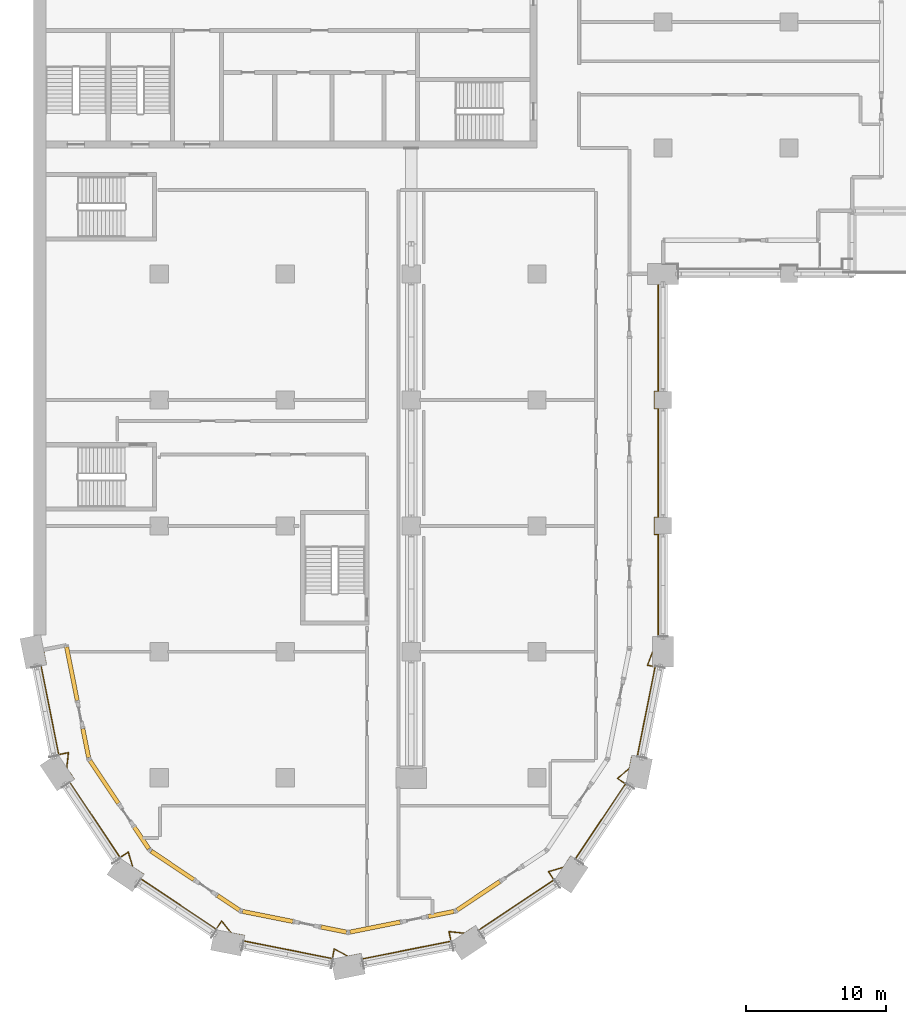
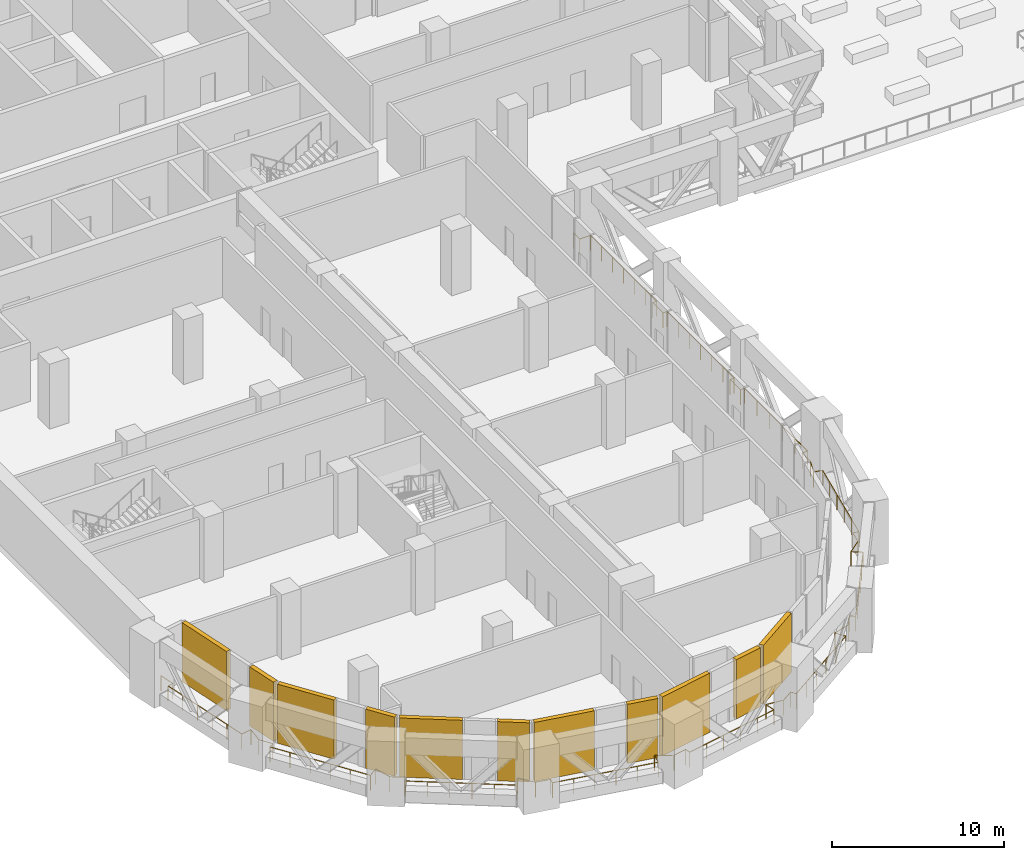
# One storey, part 18 of 22: 11 shading devices, 1 railing.
"""IFC4 building model written with IfcOpenShell, lengths in metres."""

from ifc_helpers import new_model, si_unit, direction, frame, origin, origin_2d, place, context, subcontext, project, spatial, rectangle, circle, extrude, material, layer, layer_set, type_object, element, save


model = new_model("IFC4")

# Units and contexts
model_context = context("Model", 3, precision=1e-05, world=origin(), true_north=direction((0.0, 1.0)))
body_context = subcontext(model_context, "Body", "Model", "MODEL_VIEW")
ifc_project = project(units=[si_unit("LENGTHUNIT", "METRE"), si_unit("AREAUNIT", "SQUARE_METRE"), si_unit("VOLUMEUNIT", "CUBIC_METRE"), si_unit("PLANEANGLEUNIT", "RADIAN"), si_unit("MASSUNIT", "GRAM", prefix="KILO")], contexts=[model_context])

# Site, building, storey
site_placement = place(None, origin())
site = spatial("IfcSite", under=ifc_project, at=site_placement, CompositionType="ELEMENT")
building_placement = place(site_placement, origin())
building = spatial("IfcBuilding", under=site, at=building_placement, Name="Hunhe Ridgeline Campus", CompositionType="ELEMENT")
storey_placement = place(building_placement, frame((0.0, 0.0, 129.199951171875)))
storey = spatial("IfcBuildingStorey", under=building, at=storey_placement, Name="L32", CompositionType="ELEMENT", Elevation=129.199951171875)

# Railing
ifc_material_1 = material(Name="Steel Q355", Category="steel")
railing_type = type_object("IfcRailingType", Name="Loggia guard 1100 Steel Q355", PredefinedType="GUARDRAIL", material=ifc_material_1)
railing_placement = place(storey_placement, frame((0.7060546875, 27.140380859375, 0.0)))
element("IfcRailing", 1, at=railing_placement, inside=storey, type_object=railing_type, Name="Loggia guard 1", PredefinedType="GUARDRAIL", context=body_context, shape_type="SweptSolid", body=[
    extrude(circle(Radius=0.02392578125, at=origin_2d()), frame((0.0, 0.0, 1.076171875), z_axis=(0.195087556151, -0.980785830564, 0.0), x_axis=(0.980785830564, 0.195087556151, 0.0)), (0.0, 0.0, 1.0), 1.050048828125),
    extrude(circle(Radius=0.02392578125, at=origin_2d()), frame((0.204833984375, -1.02978515625, 1.076171875), z_axis=(-0.980858940504, -0.194719641621, 0.0), x_axis=(0.194719641621, -0.980858940504, 0.0)), (0.0, 0.0, 1.0), 0.369873046875),
    extrude(circle(Radius=0.02392578125, at=origin_2d()), frame((-0.157958984375, -1.101806640625, 1.076171875), z_axis=(0.19507695386, -0.9807879394, 0.0), x_axis=(0.9807879394, 0.19507695386, 0.0)), (0.0, 0.0, 1.0), 6.506591796875),
    extrude(circle(Radius=0.02392578125, at=origin_2d()), frame((1.111328125, -7.4833984375, 1.076171875), z_axis=(0.980780459814, 0.195114555191, 0.0), x_axis=(-0.195114555191, 0.980780459814, 0.0)), (0.0, 0.0, 1.0), 0.703125),
    extrude(circle(Radius=0.02392578125, at=origin_2d()), frame((1.801025390625, -7.34619140625, 1.076171875), z_axis=(-0.102884402445, -0.994693319437, 0.0), x_axis=(0.994693319437, -0.102884402445, 0.0)), (0.0, 0.0, 1.0), 1.129638671875),
    extrude(circle(Radius=0.02392578125, at=origin_2d()), frame((1.684814453125, -8.4697265625, 1.076171875), z_axis=(0.555569523548, -0.831470086356, 0.0), x_axis=(0.831470086356, 0.555569523548, 0.0)), (0.0, 0.0, 1.0), 0.906982421875),
    extrude(circle(Radius=0.02392578125, at=origin_2d()), frame((2.188720703125, -9.223876953125, 1.076171875), z_axis=(-0.831440678638, -0.555613532868, 0.0), x_axis=(0.555613532868, -0.831440678638, 0.0)), (0.0, 0.0, 1.0), 0.369873046875),
    extrude(circle(Radius=0.02392578125, at=origin_2d()), frame((1.881103515625, -9.429443359375, 1.076171875), z_axis=(0.55556581165, -0.83147256655, 0.0), x_axis=(0.83147256655, 0.55556581165, 0.0)), (0.0, 0.0, 1.0), 6.50634765625),
    extrude(circle(Radius=0.02392578125, at=origin_2d()), frame((5.495849609375, -14.83935546875, 1.076171875), z_axis=(0.831355400166, 0.555741125539, 0.0), x_axis=(-0.555741125539, 0.831355400166, 0.0)), (0.0, 0.0, 1.0), 0.703369140625),
    extrude(circle(Radius=0.02392578125, at=origin_2d()), frame((6.08056640625, -14.448486328125, 1.076171875), z_axis=(0.285463917281, -0.958389457335, 0.0), x_axis=(0.958389457335, 0.285463917281, 0.0)), (0.0, 0.0, 1.0), 1.1298828125),
    extrude(circle(Radius=0.02392578125, at=origin_2d()), frame((6.403076171875, -15.53125, 1.076171875), z_axis=(0.831511358569, -0.555507750235, 0.0), x_axis=(0.555507750235, 0.831511358569, 0.0)), (0.0, 0.0, 1.0), 0.90673828125),
    extrude(circle(Radius=0.02392578125, at=origin_2d()), frame((7.156982421875, -16.034912109375, 1.076171875), z_axis=(-0.555613532868, -0.831440678638, 0.0), x_axis=(0.831440678638, -0.555613532868, 0.0)), (0.0, 0.0, 1.0), 0.369873046875),
    extrude(circle(Radius=0.02392578125, at=origin_2d()), frame((6.951416015625, -16.342529296875, 1.076171875), z_axis=(0.831455233209, -0.555591752251, 0.0), x_axis=(0.555591752251, 0.831455233209, 0.0)), (0.0, 0.0, 1.0), 6.506591796875),
    extrude(circle(Radius=0.02392578125, at=origin_2d()), frame((12.361328125, -19.95751953125, 1.076171875), z_axis=(0.555741125539, 0.831355400166, 0.0), x_axis=(-0.831355400166, 0.555741125539, 0.0)), (0.0, 0.0, 1.0), 0.703369140625),
    extrude(circle(Radius=0.02392578125, at=origin_2d()), frame((12.752197265625, -19.372802734375, 1.076171875), z_axis=(0.630633305327, -0.776080945657, 0.0), x_axis=(0.776080945657, 0.630633305327, 0.0)), (0.0, 0.0, 1.0), 1.129638671875),
    extrude(circle(Radius=0.02392578125, at=origin_2d()), frame((13.464599609375, -20.24951171875, 1.076171875), z_axis=(0.980807887006, -0.194976636516, 0.0), x_axis=(0.194976636516, 0.980807887006, 0.0)), (0.0, 0.0, 1.0), 0.906494140625),
    extrude(circle(Radius=0.02392578125, at=origin_2d()), frame((14.353759765625, -20.42626953125, 1.076171875), z_axis=(-0.194593653816, -0.980883943132, 0.0), x_axis=(0.980883943132, -0.194593653816, 0.0)), (0.0, 0.0, 1.0), 0.3701171875),
    extrude(circle(Radius=0.02392578125, at=origin_2d()), frame((14.28173828125, -20.789306640625, 1.076171875), z_axis=(0.98078651142, -0.195084133173, 0.0), x_axis=(0.195084133173, 0.98078651142, 0.0)), (0.0, 0.0, 1.0), 6.50634765625),
    extrude(circle(Radius=0.02392578125, at=origin_2d()), frame((20.6630859375, -22.05859375, 1.076171875), z_axis=(0.195114555191, 0.980780459814, 0.0), x_axis=(-0.980780459814, 0.195114555191, 0.0)), (0.0, 0.0, 1.0), 0.703125),
    extrude(circle(Radius=0.02392578125, at=origin_2d()), frame((20.80029296875, -21.368896484375, 1.076171875), z_axis=(0.879616090555, -0.475684278946, 0.0), x_axis=(0.475684278946, 0.879616090555, 0.0)), (0.0, 0.0, 1.0), 1.129638671875),
    extrude(circle(Radius=0.02392578125, at=origin_2d()), frame((21.7939453125, -21.90625, 1.076171875), z_axis=(0.98081812081, 0.194925149456, 0.0), x_axis=(-0.194925149456, 0.98081812081, 0.0)), (0.0, 0.0, 1.0), 0.90673828125),
    extrude(circle(Radius=0.02392578125, at=origin_2d()), frame((22.683349609375, -21.7294921875, 1.076171875), z_axis=(0.194719641621, -0.980858940504, 0.0), x_axis=(0.980858940504, 0.194719641621, 0.0)), (0.0, 0.0, 1.0), 0.369873046875),
    extrude(circle(Radius=0.02392578125, at=origin_2d()), frame((22.75537109375, -22.09228515625, 1.076171875), z_axis=(0.9807879394, 0.19507695386, 0.0), x_axis=(-0.19507695386, 0.9807879394, 0.0)), (0.0, 0.0, 1.0), 6.506591796875),
    extrude(circle(Radius=0.02392578125, at=origin_2d()), frame((29.136962890625, -20.822998046875, 1.076171875), z_axis=(-0.195114555191, 0.980780459814, 0.0), x_axis=(-0.980780459814, -0.195114555191, 0.0)), (0.0, 0.0, 1.0), 0.703125),
    extrude(circle(Radius=0.02392578125, at=origin_2d()), frame((28.999755859375, -20.13330078125, 1.076171875), z_axis=(0.994693319437, -0.102884402445, 0.0), x_axis=(0.102884402445, 0.994693319437, 0.0)), (0.0, 0.0, 1.0), 1.129638671875),
    extrude(circle(Radius=0.02392578125, at=origin_2d()), frame((30.123291015625, -20.24951171875, 1.076171875), z_axis=(0.831470086356, 0.555569523548, 0.0), x_axis=(-0.555569523548, 0.831470086356, 0.0)), (0.0, 0.0, 1.0), 0.906982421875),
    extrude(circle(Radius=0.02392578125, at=origin_2d()), frame((30.87744140625, -19.74560546875, 1.076171875), z_axis=(0.555613532868, -0.831440678638, 0.0), x_axis=(0.831440678638, 0.555613532868, 0.0)), (0.0, 0.0, 1.0), 0.369873046875),
    extrude(circle(Radius=0.02392578125, at=origin_2d()), frame((31.0830078125, -20.05322265625, 1.076171875), z_axis=(0.83147256655, 0.55556581165, 0.0), x_axis=(-0.55556581165, 0.83147256655, 0.0)), (0.0, 0.0, 1.0), 6.50634765625),
    extrude(circle(Radius=0.02392578125, at=origin_2d()), frame((36.492919921875, -16.4384765625, 1.076171875), z_axis=(-0.555741125539, 0.831355400166, 0.0), x_axis=(-0.831355400166, -0.555741125539, 0.0)), (0.0, 0.0, 1.0), 0.703369140625),
    extrude(circle(Radius=0.02392578125, at=origin_2d()), frame((36.10205078125, -15.853759765625, 1.076171875), z_axis=(0.958389457335, 0.285463917281, 0.0), x_axis=(-0.285463917281, 0.958389457335, 0.0)), (0.0, 0.0, 1.0), 1.1298828125),
    extrude(circle(Radius=0.02392578125, at=origin_2d()), frame((37.184814453125, -15.53125, 1.076171875), z_axis=(0.555507750235, 0.831511358569, 0.0), x_axis=(-0.831511358569, 0.555507750235, 0.0)), (0.0, 0.0, 1.0), 0.90673828125),
    extrude(circle(Radius=0.02392578125, at=origin_2d()), frame((37.6884765625, -14.77734375, 1.076171875), z_axis=(0.831440678638, -0.555613532868, 0.0), x_axis=(0.555613532868, 0.831440678638, 0.0)), (0.0, 0.0, 1.0), 0.369873046875),
    extrude(circle(Radius=0.02392578125, at=origin_2d()), frame((37.99609375, -14.98291015625, 1.076171875), z_axis=(0.555591752251, 0.831455233209, 0.0), x_axis=(-0.831455233209, 0.555591752251, 0.0)), (0.0, 0.0, 1.0), 6.506591796875),
    extrude(circle(Radius=0.02392578125, at=origin_2d()), frame((41.611083984375, -9.572998046875, 1.076171875), z_axis=(-0.831355400166, 0.555741125539, 0.0), x_axis=(-0.555741125539, -0.831355400166, 0.0)), (0.0, 0.0, 1.0), 0.703369140625),
    extrude(circle(Radius=0.02392578125, at=origin_2d()), frame((41.0263671875, -9.18212890625, 1.076171875), z_axis=(0.776080945657, 0.630633305327, 0.0), x_axis=(-0.630633305327, 0.776080945657, 0.0)), (0.0, 0.0, 1.0), 1.129638671875),
    extrude(circle(Radius=0.02392578125, at=origin_2d()), frame((41.903076171875, -8.4697265625, 1.076171875), z_axis=(0.194976636516, 0.980807887006, 0.0), x_axis=(-0.980807887006, 0.194976636516, 0.0)), (0.0, 0.0, 1.0), 0.906494140625),
    extrude(circle(Radius=0.02392578125, at=origin_2d()), frame((42.079833984375, -7.58056640625, 1.076171875), z_axis=(0.980883943132, -0.194593653816, 0.0), x_axis=(0.194593653816, 0.980883943132, 0.0)), (0.0, 0.0, 1.0), 0.3701171875),
    extrude(circle(Radius=0.02392578125, at=origin_2d()), frame((42.44287109375, -7.652587890625, 1.076171875), z_axis=(0.195087191819, 0.980785903033, 0.0), x_axis=(-0.980785903033, 0.195087191819, 0.0)), (0.0, 0.0, 1.0), 6.5712890625),
    extrude(circle(Radius=0.02392578125, at=origin_2d()), frame((43.724853515625, -1.20751953125, 1.076171875), z_axis=(-0.9807502228, 0.195266485801, 0.0), x_axis=(-0.195266485801, -0.9807502228, 0.0)), (0.0, 0.0, 1.0), 0.552734375),
    extrude(circle(Radius=0.02392578125, at=origin_2d()), frame((43.182861328125, -1.099609375, 1.076171875), z_axis=(0.354981524628, 0.934873316109, 0.0), x_axis=(-0.934873316109, 0.354981524628, 0.0)), (0.0, 0.0, 1.0), 1.101806640625),
    extrude(circle(Radius=0.02392578125, at=origin_2d()), frame((43.573974609375, -0.069580078125, 1.076171875), z_axis=(0.0, 1.0, 0.0), x_axis=(-1.0, 0.0, 0.0)), (0.0, 0.0, 1.0), 0.979248046875),
    extrude(circle(Radius=0.02392578125, at=origin_2d()), frame((43.573974609375, 0.90966796875, 1.076171875), z_axis=(1.0, 0.0, 0.0), x_axis=(0.0, 1.0, 0.0)), (0.0, 0.0, 1.0), 0.369873046875),
    extrude(circle(Radius=0.02392578125, at=origin_2d()), frame((43.94384765625, 0.90966796875, 1.076171875), z_axis=(0.0, 1.0, 0.0), x_axis=(-1.0, 0.0, 0.0)), (0.0, 0.0, 1.0), 7.349853515625),
    extrude(circle(Radius=0.02392578125, at=origin_2d()), frame((43.94384765625, 8.259521484375, 1.076171875), z_axis=(-1.0, 0.0, 0.0), x_axis=(0.0, -1.0, 0.0)), (0.0, 0.0, 1.0), 0.27001953125),
    extrude(circle(Radius=0.02392578125, at=origin_2d()), frame((43.673828125, 8.259521484375, 1.076171875), z_axis=(0.0, 1.0, 0.0), x_axis=(-1.0, 0.0, 0.0)), (0.0, 0.0, 1.0), 1.2001953125),
    extrude(circle(Radius=0.02392578125, at=origin_2d()), frame((43.673828125, 9.459716796875, 1.076171875), z_axis=(1.0, 0.0, 0.0), x_axis=(0.0, 1.0, 0.0)), (0.0, 0.0, 1.0), 0.27001953125),
    extrude(circle(Radius=0.02392578125, at=origin_2d()), frame((43.94384765625, 9.459716796875, 1.076171875), z_axis=(0.0, 1.0, 0.0), x_axis=(-1.0, 0.0, 0.0)), (0.0, 0.0, 1.0), 7.7998046875),
    extrude(circle(Radius=0.02392578125, at=origin_2d()), frame((43.94384765625, 17.259521484375, 1.076171875), z_axis=(-1.0, 0.0, 0.0), x_axis=(0.0, -1.0, 0.0)), (0.0, 0.0, 1.0), 0.27001953125),
    extrude(circle(Radius=0.02392578125, at=origin_2d()), frame((43.673828125, 17.259521484375, 1.076171875), z_axis=(0.0, 1.0, 0.0), x_axis=(-1.0, 0.0, 0.0)), (0.0, 0.0, 1.0), 1.2001953125),
    extrude(circle(Radius=0.02392578125, at=origin_2d()), frame((43.673828125, 18.459716796875, 1.076171875), z_axis=(1.0, 0.0, 0.0), x_axis=(0.0, 1.0, 0.0)), (0.0, 0.0, 1.0), 0.27001953125),
    extrude(circle(Radius=0.02392578125, at=origin_2d()), frame((43.94384765625, 18.459716796875, 1.076171875), z_axis=(0.0, 1.0, 0.0), x_axis=(-1.0, 0.0, 0.0)), (0.0, 0.0, 1.0), 7.699951171875),
    extrude(circle(Radius=0.02392578125, at=origin_2d()), frame((43.94384765625, 26.15966796875, 1.076171875), z_axis=(-1.0, 0.0, 0.0), x_axis=(0.0, -1.0, 0.0)), (0.0, 0.0, 1.0), 0.719970703125),
    extrude(circle(Radius=0.02392578125, at=origin_2d()), frame((43.223876953125, 26.15966796875, 1.076171875), z_axis=(0.0, 1.0, 0.0), x_axis=(-1.0, 0.0, 0.0)), (0.0, 0.0, 1.0), 0.699951171875),
    extrude(circle(Radius=0.02099609375, at=origin_2d()), origin(), (0.0, 0.0, 1.0), 1.052001953125),
    extrude(circle(Radius=0.02099609375, at=origin_2d()), frame((0.204833984375, -1.02978515625, 0.0)), (0.0, 0.0, 1.0), 1.052001953125),
    extrude(circle(Radius=0.02099609375, at=origin_2d()), frame((-0.157958984375, -1.101806640625, 0.0)), (0.0, 0.0, 1.0), 1.052001953125),
    extrude(circle(Radius=0.02099609375, at=origin_2d()), frame((0.095947265625, -2.378173828125, 0.0)), (0.0, 0.0, 1.0), 1.052001953125),
    extrude(circle(Radius=0.02099609375, at=origin_2d()), frame((0.349853515625, -3.654541015625, 0.0)), (0.0, 0.0, 1.0), 1.052001953125),
    extrude(circle(Radius=0.02099609375, at=origin_2d()), frame((0.603515625, -4.9306640625, 0.0)), (0.0, 0.0, 1.0), 1.052001953125),
    extrude(circle(Radius=0.02099609375, at=origin_2d()), frame((0.857421875, -6.20703125, 0.0)), (0.0, 0.0, 1.0), 1.052001953125),
    extrude(circle(Radius=0.02099609375, at=origin_2d()), frame((1.111328125, -7.4833984375, 0.0)), (0.0, 0.0, 1.0), 1.052001953125),
    extrude(circle(Radius=0.02099609375, at=origin_2d()), frame((1.801025390625, -7.34619140625, 0.0)), (0.0, 0.0, 1.0), 1.052001953125),
    extrude(circle(Radius=0.02099609375, at=origin_2d()), frame((1.684814453125, -8.4697265625, 0.0)), (0.0, 0.0, 1.0), 1.052001953125),
    extrude(circle(Radius=0.02099609375, at=origin_2d()), frame((2.188720703125, -9.223876953125, 0.0)), (0.0, 0.0, 1.0), 1.052001953125),
    extrude(circle(Radius=0.02099609375, at=origin_2d()), frame((1.881103515625, -9.429443359375, 0.0)), (0.0, 0.0, 1.0), 1.052001953125),
    extrude(circle(Radius=0.02099609375, at=origin_2d()), frame((2.60400390625, -10.511474609375, 0.0)), (0.0, 0.0, 1.0), 1.052001953125),
    extrude(circle(Radius=0.02099609375, at=origin_2d()), frame((3.326904296875, -11.593505859375, 0.0)), (0.0, 0.0, 1.0), 1.052001953125),
    extrude(circle(Radius=0.02099609375, at=origin_2d()), frame((4.050048828125, -12.67529296875, 0.0)), (0.0, 0.0, 1.0), 1.052001953125),
    extrude(circle(Radius=0.02099609375, at=origin_2d()), frame((4.77294921875, -13.75732421875, 0.0)), (0.0, 0.0, 1.0), 1.052001953125),
    extrude(circle(Radius=0.02099609375, at=origin_2d()), frame((5.495849609375, -14.83935546875, 0.0)), (0.0, 0.0, 1.0), 1.052001953125),
    extrude(circle(Radius=0.02099609375, at=origin_2d()), frame((6.08056640625, -14.448486328125, 0.0)), (0.0, 0.0, 1.0), 1.052001953125),
    extrude(circle(Radius=0.02099609375, at=origin_2d()), frame((6.403076171875, -15.53125, 0.0)), (0.0, 0.0, 1.0), 1.052001953125),
    extrude(circle(Radius=0.02099609375, at=origin_2d()), frame((7.156982421875, -16.034912109375, 0.0)), (0.0, 0.0, 1.0), 1.052001953125),
    extrude(circle(Radius=0.02099609375, at=origin_2d()), frame((6.951416015625, -16.342529296875, 0.0)), (0.0, 0.0, 1.0), 1.052001953125),
    extrude(circle(Radius=0.02099609375, at=origin_2d()), frame((8.033447265625, -17.0654296875, 0.0)), (0.0, 0.0, 1.0), 1.052001953125),
    extrude(circle(Radius=0.02099609375, at=origin_2d()), frame((9.115478515625, -17.78857421875, 0.0)), (0.0, 0.0, 1.0), 1.052001953125),
    extrude(circle(Radius=0.02099609375, at=origin_2d()), frame((10.197265625, -18.511474609375, 0.0)), (0.0, 0.0, 1.0), 1.052001953125),
    extrude(circle(Radius=0.02099609375, at=origin_2d()), frame((11.279296875, -19.234619140625, 0.0)), (0.0, 0.0, 1.0), 1.052001953125),
    extrude(circle(Radius=0.02099609375, at=origin_2d()), frame((12.361328125, -19.95751953125, 0.0)), (0.0, 0.0, 1.0), 1.052001953125),
    extrude(circle(Radius=0.02099609375, at=origin_2d()), frame((12.752197265625, -19.372802734375, 0.0)), (0.0, 0.0, 1.0), 1.052001953125),
    extrude(circle(Radius=0.02099609375, at=origin_2d()), frame((13.464599609375, -20.24951171875, 0.0)), (0.0, 0.0, 1.0), 1.052001953125),
    extrude(circle(Radius=0.02099609375, at=origin_2d()), frame((14.353759765625, -20.42626953125, 0.0)), (0.0, 0.0, 1.0), 1.052001953125),
    extrude(circle(Radius=0.02099609375, at=origin_2d()), frame((14.28173828125, -20.789306640625, 0.0)), (0.0, 0.0, 1.0), 1.052001953125),
    extrude(circle(Radius=0.02099609375, at=origin_2d()), frame((15.55810546875, -21.043212890625, 0.0)), (0.0, 0.0, 1.0), 1.052001953125),
    extrude(circle(Radius=0.02099609375, at=origin_2d()), frame((16.834228515625, -21.297119140625, 0.0)), (0.0, 0.0, 1.0), 1.052001953125),
    extrude(circle(Radius=0.02099609375, at=origin_2d()), frame((18.110595703125, -21.55078125, 0.0)), (0.0, 0.0, 1.0), 1.052001953125),
    extrude(circle(Radius=0.02099609375, at=origin_2d()), frame((19.38671875, -21.8046875, 0.0)), (0.0, 0.0, 1.0), 1.052001953125),
    extrude(circle(Radius=0.02099609375, at=origin_2d()), frame((20.6630859375, -22.05859375, 0.0)), (0.0, 0.0, 1.0), 1.052001953125),
    extrude(circle(Radius=0.02099609375, at=origin_2d()), frame((20.80029296875, -21.368896484375, 0.0)), (0.0, 0.0, 1.0), 1.052001953125),
    extrude(circle(Radius=0.02099609375, at=origin_2d()), frame((21.7939453125, -21.90625, 0.0)), (0.0, 0.0, 1.0), 1.052001953125),
    extrude(circle(Radius=0.02099609375, at=origin_2d()), frame((22.683349609375, -21.7294921875, 0.0)), (0.0, 0.0, 1.0), 1.052001953125),
    extrude(circle(Radius=0.02099609375, at=origin_2d()), frame((22.75537109375, -22.09228515625, 0.0)), (0.0, 0.0, 1.0), 1.052001953125),
    extrude(circle(Radius=0.02099609375, at=origin_2d()), frame((24.03173828125, -21.83837890625, 0.0)), (0.0, 0.0, 1.0), 1.052001953125),
    extrude(circle(Radius=0.02099609375, at=origin_2d()), frame((25.30810546875, -21.58447265625, 0.0)), (0.0, 0.0, 1.0), 1.052001953125),
    extrude(circle(Radius=0.02099609375, at=origin_2d()), frame((26.584228515625, -21.330810546875, 0.0)), (0.0, 0.0, 1.0), 1.052001953125),
    extrude(circle(Radius=0.02099609375, at=origin_2d()), frame((27.860595703125, -21.076904296875, 0.0)), (0.0, 0.0, 1.0), 1.052001953125),
    extrude(circle(Radius=0.02099609375, at=origin_2d()), frame((29.136962890625, -20.822998046875, 0.0)), (0.0, 0.0, 1.0), 1.052001953125),
    extrude(circle(Radius=0.02099609375, at=origin_2d()), frame((28.999755859375, -20.13330078125, 0.0)), (0.0, 0.0, 1.0), 1.052001953125),
    extrude(circle(Radius=0.02099609375, at=origin_2d()), frame((30.123291015625, -20.24951171875, 0.0)), (0.0, 0.0, 1.0), 1.052001953125),
    extrude(circle(Radius=0.02099609375, at=origin_2d()), frame((30.87744140625, -19.74560546875, 0.0)), (0.0, 0.0, 1.0), 1.052001953125),
    extrude(circle(Radius=0.02099609375, at=origin_2d()), frame((31.0830078125, -20.05322265625, 0.0)), (0.0, 0.0, 1.0), 1.052001953125),
    extrude(circle(Radius=0.02099609375, at=origin_2d()), frame((32.1650390625, -19.330322265625, 0.0)), (0.0, 0.0, 1.0), 1.052001953125),
    extrude(circle(Radius=0.02099609375, at=origin_2d()), frame((33.2470703125, -18.607421875, 0.0)), (0.0, 0.0, 1.0), 1.052001953125),
    extrude(circle(Radius=0.02099609375, at=origin_2d()), frame((34.328857421875, -17.88427734375, 0.0)), (0.0, 0.0, 1.0), 1.052001953125),
    extrude(circle(Radius=0.02099609375, at=origin_2d()), frame((35.410888671875, -17.161376953125, 0.0)), (0.0, 0.0, 1.0), 1.052001953125),
    extrude(circle(Radius=0.02099609375, at=origin_2d()), frame((36.492919921875, -16.4384765625, 0.0)), (0.0, 0.0, 1.0), 1.052001953125),
    extrude(circle(Radius=0.02099609375, at=origin_2d()), frame((36.10205078125, -15.853759765625, 0.0)), (0.0, 0.0, 1.0), 1.052001953125),
    extrude(circle(Radius=0.02099609375, at=origin_2d()), frame((37.184814453125, -15.53125, 0.0)), (0.0, 0.0, 1.0), 1.052001953125),
    extrude(circle(Radius=0.02099609375, at=origin_2d()), frame((37.6884765625, -14.77734375, 0.0)), (0.0, 0.0, 1.0), 1.052001953125),
    extrude(circle(Radius=0.02099609375, at=origin_2d()), frame((37.99609375, -14.98291015625, 0.0)), (0.0, 0.0, 1.0), 1.052001953125),
    extrude(circle(Radius=0.02099609375, at=origin_2d()), frame((38.718994140625, -13.90087890625, 0.0)), (0.0, 0.0, 1.0), 1.052001953125),
    extrude(circle(Radius=0.02099609375, at=origin_2d()), frame((39.442138671875, -12.81884765625, 0.0)), (0.0, 0.0, 1.0), 1.052001953125),
    extrude(circle(Radius=0.02099609375, at=origin_2d()), frame((40.1650390625, -11.737060546875, 0.0)), (0.0, 0.0, 1.0), 1.052001953125),
    extrude(circle(Radius=0.02099609375, at=origin_2d()), frame((40.88818359375, -10.655029296875, 0.0)), (0.0, 0.0, 1.0), 1.052001953125),
    extrude(circle(Radius=0.02099609375, at=origin_2d()), frame((41.611083984375, -9.572998046875, 0.0)), (0.0, 0.0, 1.0), 1.052001953125),
    extrude(circle(Radius=0.02099609375, at=origin_2d()), frame((41.0263671875, -9.18212890625, 0.0)), (0.0, 0.0, 1.0), 1.052001953125),
    extrude(circle(Radius=0.02099609375, at=origin_2d()), frame((41.903076171875, -8.4697265625, 0.0)), (0.0, 0.0, 1.0), 1.052001953125),
    extrude(circle(Radius=0.02099609375, at=origin_2d()), frame((42.079833984375, -7.58056640625, 0.0)), (0.0, 0.0, 1.0), 1.052001953125),
    extrude(circle(Radius=0.02099609375, at=origin_2d()), frame((42.44287109375, -7.652587890625, 0.0)), (0.0, 0.0, 1.0), 1.052001953125),
    extrude(circle(Radius=0.02099609375, at=origin_2d()), frame((42.69921875, -6.363525390625, 0.0)), (0.0, 0.0, 1.0), 1.052001953125),
    extrude(circle(Radius=0.02099609375, at=origin_2d()), frame((42.95556640625, -5.074462890625, 0.0)), (0.0, 0.0, 1.0), 1.052001953125),
    extrude(circle(Radius=0.02099609375, at=origin_2d()), frame((43.212158203125, -3.78564453125, 0.0)), (0.0, 0.0, 1.0), 1.052001953125),
    extrude(circle(Radius=0.02099609375, at=origin_2d()), frame((43.468505859375, -2.49658203125, 0.0)), (0.0, 0.0, 1.0), 1.052001953125),
    extrude(circle(Radius=0.02099609375, at=origin_2d()), frame((43.724853515625, -1.20751953125, 0.0)), (0.0, 0.0, 1.0), 1.052001953125),
    extrude(circle(Radius=0.02099609375, at=origin_2d()), frame((43.182861328125, -1.099609375, 0.0)), (0.0, 0.0, 1.0), 1.052001953125),
    extrude(circle(Radius=0.02099609375, at=origin_2d()), frame((43.573974609375, -0.069580078125, 0.0)), (0.0, 0.0, 1.0), 1.052001953125),
    extrude(circle(Radius=0.02099609375, at=origin_2d()), frame((43.573974609375, 0.90966796875, 0.0)), (0.0, 0.0, 1.0), 1.052001953125),
    extrude(circle(Radius=0.02099609375, at=origin_2d()), frame((43.94384765625, 0.90966796875, 0.0)), (0.0, 0.0, 1.0), 1.052001953125),
    extrude(circle(Radius=0.02099609375, at=origin_2d()), frame((43.94384765625, 2.379638671875, 0.0)), (0.0, 0.0, 1.0), 1.052001953125),
    extrude(circle(Radius=0.02099609375, at=origin_2d()), frame((43.94384765625, 3.849609375, 0.0)), (0.0, 0.0, 1.0), 1.052001953125),
    extrude(circle(Radius=0.02099609375, at=origin_2d()), frame((43.94384765625, 5.319580078125, 0.0)), (0.0, 0.0, 1.0), 1.052001953125),
    extrude(circle(Radius=0.02099609375, at=origin_2d()), frame((43.94384765625, 6.78955078125, 0.0)), (0.0, 0.0, 1.0), 1.052001953125),
    extrude(circle(Radius=0.02099609375, at=origin_2d()), frame((43.94384765625, 8.259521484375, 0.0)), (0.0, 0.0, 1.0), 1.052001953125),
    extrude(circle(Radius=0.02099609375, at=origin_2d()), frame((43.673828125, 8.259521484375, 0.0)), (0.0, 0.0, 1.0), 1.052001953125),
    extrude(circle(Radius=0.02099609375, at=origin_2d()), frame((43.673828125, 9.459716796875, 0.0)), (0.0, 0.0, 1.0), 1.052001953125),
    extrude(circle(Radius=0.02099609375, at=origin_2d()), frame((43.94384765625, 9.459716796875, 0.0)), (0.0, 0.0, 1.0), 1.052001953125),
    extrude(circle(Radius=0.02099609375, at=origin_2d()), frame((43.94384765625, 10.759765625, 0.0)), (0.0, 0.0, 1.0), 1.052001953125),
    extrude(circle(Radius=0.02099609375, at=origin_2d()), frame((43.94384765625, 12.0595703125, 0.0)), (0.0, 0.0, 1.0), 1.052001953125),
    extrude(circle(Radius=0.02099609375, at=origin_2d()), frame((43.94384765625, 13.359619140625, 0.0)), (0.0, 0.0, 1.0), 1.052001953125),
    extrude(circle(Radius=0.02099609375, at=origin_2d()), frame((43.94384765625, 14.65966796875, 0.0)), (0.0, 0.0, 1.0), 1.052001953125),
    extrude(circle(Radius=0.02099609375, at=origin_2d()), frame((43.94384765625, 15.95947265625, 0.0)), (0.0, 0.0, 1.0), 1.052001953125),
    extrude(circle(Radius=0.02099609375, at=origin_2d()), frame((43.94384765625, 17.259521484375, 0.0)), (0.0, 0.0, 1.0), 1.052001953125),
    extrude(circle(Radius=0.02099609375, at=origin_2d()), frame((43.673828125, 17.259521484375, 0.0)), (0.0, 0.0, 1.0), 1.052001953125),
    extrude(circle(Radius=0.02099609375, at=origin_2d()), frame((43.673828125, 18.459716796875, 0.0)), (0.0, 0.0, 1.0), 1.052001953125),
    extrude(circle(Radius=0.02099609375, at=origin_2d()), frame((43.94384765625, 18.459716796875, 0.0)), (0.0, 0.0, 1.0), 1.052001953125),
    extrude(circle(Radius=0.02099609375, at=origin_2d()), frame((43.94384765625, 19.7431640625, 0.0)), (0.0, 0.0, 1.0), 1.052001953125),
    extrude(circle(Radius=0.02099609375, at=origin_2d()), frame((43.94384765625, 21.0263671875, 0.0)), (0.0, 0.0, 1.0), 1.052001953125),
    extrude(circle(Radius=0.02099609375, at=origin_2d()), frame((43.94384765625, 22.3095703125, 0.0)), (0.0, 0.0, 1.0), 1.052001953125),
    extrude(circle(Radius=0.02099609375, at=origin_2d()), frame((43.94384765625, 23.593017578125, 0.0)), (0.0, 0.0, 1.0), 1.052001953125),
    extrude(circle(Radius=0.02099609375, at=origin_2d()), frame((43.94384765625, 24.87646484375, 0.0)), (0.0, 0.0, 1.0), 1.052001953125),
    extrude(circle(Radius=0.02099609375, at=origin_2d()), frame((43.94384765625, 26.15966796875, 0.0)), (0.0, 0.0, 1.0), 1.052001953125),
    extrude(circle(Radius=0.02099609375, at=origin_2d()), frame((43.223876953125, 26.15966796875, 0.0)), (0.0, 0.0, 1.0), 1.052001953125),
    extrude(circle(Radius=0.02099609375, at=origin_2d()), frame((43.223876953125, 26.859619140625, 0.0)), (0.0, 0.0, 1.0), 1.052001953125),
])

# Shading devices
ifc_material_2 = material(Name="Aluminium 6063", Category="aluminium")
ifc_layer = layer(ifc_material_2, 0.300048828125)
ifc_layer_set = layer_set([ifc_layer], Name="Louvre bank 300 Aluminium 6063")
shading_device_type = type_object("IfcShadingDeviceType", Name="Louvre bank 300 Aluminium 6063", PredefinedType="USERDEFINED", material=ifc_layer_set)
shading_device_1_placement = place(storey_placement, frame((2.759765625, 25.43310546875, 0.0), z_axis=(0.0, 0.0, 1.0), x_axis=(0.195095347137, -0.980784280831, 0.0)))
element("IfcShadingDevice", 2, at=shading_device_1_placement, inside=storey, type_object=shading_device_type, Name="Louvre bank 1", ObjectType="LOUVRE", PredefinedType="USERDEFINED", context=body_context, shape_type="SweptSolid", body=[
    extrude(rectangle(XDim=3.910888671875, YDim=0.300048828125, at=origin_2d()), origin(), (0.0, 0.0, 1.0), 4.199951171875),
])
shading_device_2_placement = place(storey_placement, frame((3.7451171875, 20.479248046875, 0.0), z_axis=(0.0, 0.0, 1.0), x_axis=(0.195095217605, -0.980784306597, 0.0)))
element("IfcShadingDevice", 3, at=shading_device_2_placement, inside=storey, type_object=shading_device_type, Name="Louvre bank 2", ObjectType="LOUVRE", PredefinedType="USERDEFINED", context=body_context, shape_type="SweptSolid", body=[
    extrude(rectangle(XDim=2.11083984375, YDim=0.300048828125, at=origin_2d()), origin(), (0.0, 0.0, 1.0), 4.199951171875),
])
shading_device_3_placement = place(storey_placement, frame((5.06103515625, 17.7001953125, 0.0), z_axis=(0.0, 0.0, 1.0), x_axis=(0.555570362959, -0.83146952548, 0.0)))
element("IfcShadingDevice", 4, at=shading_device_3_placement, inside=storey, type_object=shading_device_type, Name="Louvre bank 3", ObjectType="LOUVRE", PredefinedType="USERDEFINED", context=body_context, shape_type="SweptSolid", body=[
    extrude(rectangle(XDim=3.671875, YDim=0.300048828125, at=origin_2d()), origin(), (0.0, 0.0, 1.0), 4.199951171875),
])
shading_device_4_placement = place(storey_placement, frame((7.734375, 13.69921875, 0.0), z_axis=(0.0, 0.0, 1.0), x_axis=(0.555570217564, -0.831469622629, 0.0)))
element("IfcShadingDevice", 5, at=shading_device_4_placement, inside=storey, type_object=shading_device_type, Name="Louvre bank 4", ObjectType="LOUVRE", PredefinedType="USERDEFINED", context=body_context, shape_type="SweptSolid", body=[
    extrude(rectangle(XDim=1.871826171875, YDim=0.300048828125, at=origin_2d()), origin(), (0.0, 0.0, 1.0), 4.199951171875),
])
shading_device_5_placement = place(storey_placement, frame((9.947509765625, 11.734375, 0.0), z_axis=(0.0, 0.0, 1.0), x_axis=(0.831469643564, -0.555570186233, 0.0)))
element("IfcShadingDevice", 6, at=shading_device_5_placement, inside=storey, type_object=shading_device_type, Name="Louvre bank 5", ObjectType="LOUVRE", PredefinedType="USERDEFINED", context=body_context, shape_type="SweptSolid", body=[
    extrude(rectangle(XDim=3.671875, YDim=0.300048828125, at=origin_2d()), origin(), (0.0, 0.0, 1.0), 4.199951171875),
])
shading_device_6_placement = place(storey_placement, frame((13.948486328125, 9.06103515625, 0.0), z_axis=(0.0, 0.0, 1.0), x_axis=(0.831469622629, -0.555570217564, 0.0)))
element("IfcShadingDevice", 7, at=shading_device_6_placement, inside=storey, type_object=shading_device_type, Name="Louvre bank 6", ObjectType="LOUVRE", PredefinedType="USERDEFINED", context=body_context, shape_type="SweptSolid", body=[
    extrude(rectangle(XDim=1.871826171875, YDim=0.300048828125, at=origin_2d()), origin(), (0.0, 0.0, 1.0), 4.199951171875),
])
shading_device_7_placement = place(storey_placement, frame((16.744873046875, 8.0927734375, 0.0), z_axis=(0.0, 0.0, 1.0), x_axis=(0.980785299781, -0.195090224598, 0.0)))
element("IfcShadingDevice", 8, at=shading_device_7_placement, inside=storey, type_object=shading_device_type, Name="Louvre bank 7", ObjectType="LOUVRE", PredefinedType="USERDEFINED", context=body_context, shape_type="SweptSolid", body=[
    extrude(rectangle(XDim=3.671875, YDim=0.300048828125, at=origin_2d()), origin(), (0.0, 0.0, 1.0), 4.199951171875),
])
shading_device_8_placement = place(storey_placement, frame((21.46435546875, 7.154052734375, 0.0), z_axis=(0.0, 0.0, 1.0), x_axis=(0.980785272878, -0.195090359847, 0.0)))
element("IfcShadingDevice", 9, at=shading_device_8_placement, inside=storey, type_object=shading_device_type, Name="Louvre bank 8", ObjectType="LOUVRE", PredefinedType="USERDEFINED", context=body_context, shape_type="SweptSolid", body=[
    extrude(rectangle(XDim=1.871826171875, YDim=0.300048828125, at=origin_2d()), origin(), (0.0, 0.0, 1.0), 4.199951171875),
])
shading_device_9_placement = place(storey_placement, frame((24.41845703125, 7.32958984375, 0.0), z_axis=(0.0, 0.0, 1.0), x_axis=(0.980785250869, 0.195090470497, 0.0)))
element("IfcShadingDevice", 10, at=shading_device_9_placement, inside=storey, type_object=shading_device_type, Name="Louvre bank 9", ObjectType="LOUVRE", PredefinedType="USERDEFINED", context=body_context, shape_type="SweptSolid", body=[
    extrude(rectangle(XDim=3.671875, YDim=0.300048828125, at=origin_2d()), origin(), (0.0, 0.0, 1.0), 4.199951171875),
])
shading_device_10_placement = place(storey_placement, frame((29.137939453125, 8.268310546875, 0.0), z_axis=(0.0, 0.0, 1.0), x_axis=(0.980785272878, 0.195090359847, 0.0)))
element("IfcShadingDevice", 11, at=shading_device_10_placement, inside=storey, type_object=shading_device_type, Name="Louvre bank 10", ObjectType="LOUVRE", PredefinedType="USERDEFINED", context=body_context, shape_type="SweptSolid", body=[
    extrude(rectangle(XDim=1.871826171875, YDim=0.300048828125, at=origin_2d()), origin(), (0.0, 0.0, 1.0), 4.199951171875),
])
shading_device_11_placement = place(storey_placement, frame((31.7998046875, 9.56103515625, 0.0), z_axis=(0.0, 0.0, 1.0), x_axis=(0.83146952548, 0.555570362959, 0.0)))
element("IfcShadingDevice", 12, at=shading_device_11_placement, inside=storey, type_object=shading_device_type, Name="Louvre bank 11", ObjectType="LOUVRE", PredefinedType="USERDEFINED", context=body_context, shape_type="SweptSolid", body=[
    extrude(rectangle(XDim=3.671875, YDim=0.300048828125, at=origin_2d()), origin(), (0.0, 0.0, 1.0), 4.199951171875),
])

save(model, "model.ifc")
